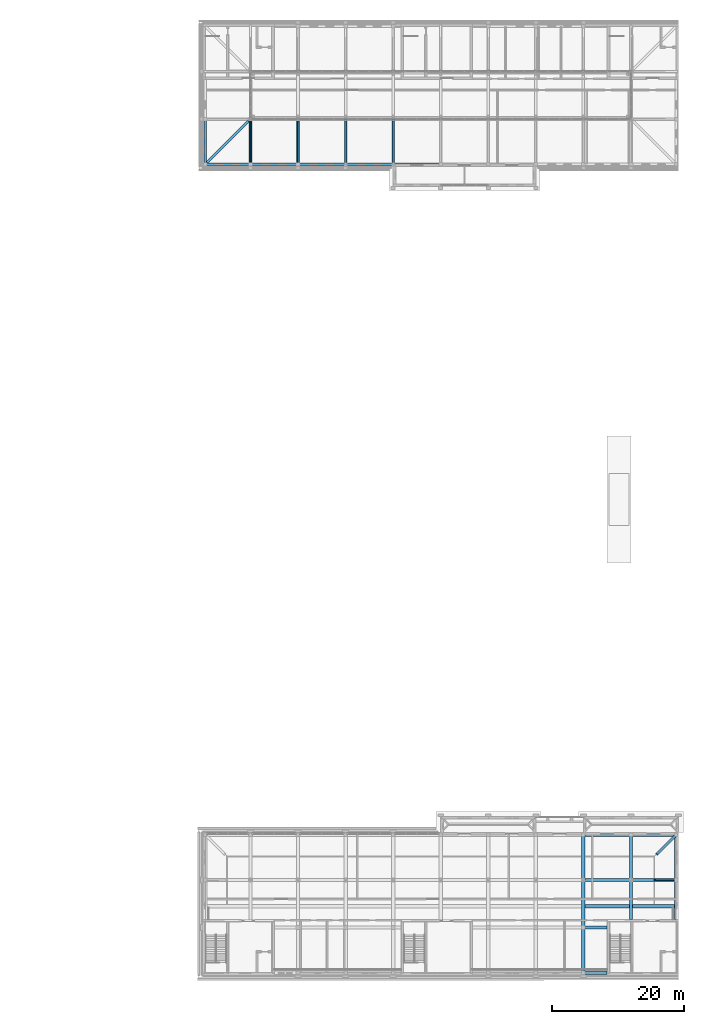
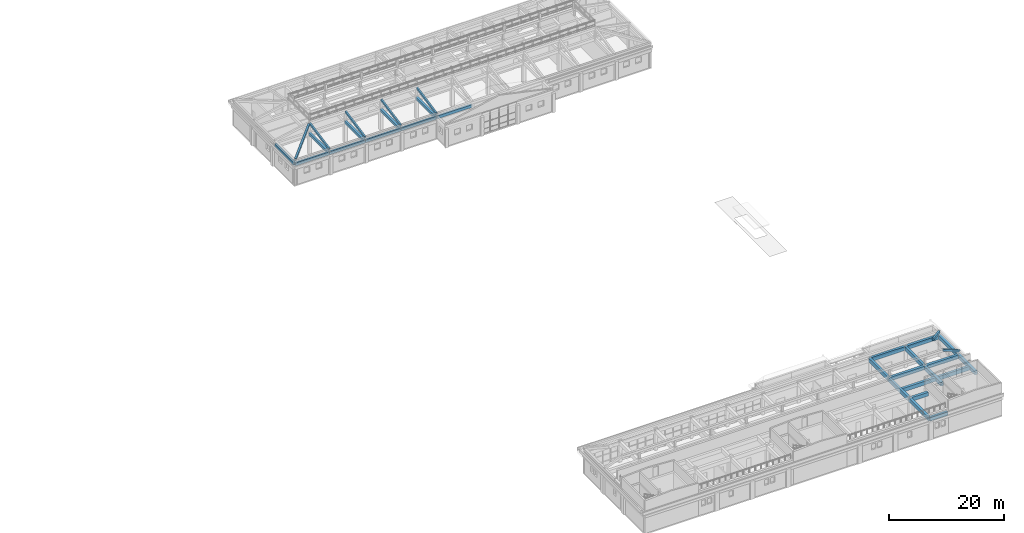
# One storey, part 11 of 48: 32 beams.
"""IFC4 building model written with IfcOpenShell, lengths in metres."""

from ifc_helpers import new_model, si_unit, direction, frame, origin, origin_2d, place, context, subcontext, project, spatial, rectangle, extrude, material, material_profile, profile_set, type_object, element, save


model = new_model("IFC4")

# Units and contexts
model_context = context("Model", 3, precision=1e-05, world=origin(), true_north=direction((0.0, 1.0)))
body_context = subcontext(model_context, "Body", "Model", "MODEL_VIEW")
ifc_project = project(units=[si_unit("LENGTHUNIT", "METRE"), si_unit("AREAUNIT", "SQUARE_METRE"), si_unit("VOLUMEUNIT", "CUBIC_METRE"), si_unit("PLANEANGLEUNIT", "RADIAN"), si_unit("MASSUNIT", "GRAM", prefix="KILO")], contexts=[model_context])

# Site, building, storey
site_placement = place(None, origin())
site = spatial("IfcSite", under=ifc_project, at=site_placement, CompositionType="ELEMENT")
building_placement = place(site_placement, origin())
building = spatial("IfcBuilding", under=site, at=building_placement, Name="Alderwick Market Hall", CompositionType="ELEMENT")
storey_placement = place(building_placement, frame((0.0, 0.0, 14.39990234375)))
storey = spatial("IfcBuildingStorey", under=building, at=storey_placement, Name="L02", CompositionType="ELEMENT", Elevation=14.39990234375)

# Beams
ifc_material = material(Name="Concrete 5000 psi (f'c 35 MPa)", Category="concrete")
ifc_material_profile_1 = material_profile(ifc_material, rectangle(XDim=0.35009765625, YDim=0.449951171875, at=origin_2d()), Name="RC 350x450")
ifc_profile_set_1 = profile_set([ifc_material_profile_1], Name="Concrete 5000 psi (f'c 35 MPa)")
beam_type_1 = type_object("IfcBeamType", Name="C Hip Rafter RC 350x450", PredefinedType="BEAM", material=ifc_profile_set_1)
beam_1_placement = place(storey_placement, frame((229.949951171875, 28.35009765625, 5.153076171875), z_axis=(-0.680042704689, -0.680100962438, 0.273869678296), x_axis=(0.707137067375, -0.707076493701, 0.0)))
element("IfcBeam", 1, at=beam_1_placement, inside=storey, type_object=beam_type_1, Name="C.rafter.L02.004", PredefinedType="BEAM", context=body_context, shape_type="SweptSolid", body=[
    extrude(rectangle(XDim=0.35009765625, YDim=0.449951171875, at=origin_2d()), origin(), (0.0, 0.0, 1.0), 4.190673828125),
])
ifc_material_profile_2 = material_profile(ifc_material, rectangle(XDim=0.300048828125, YDim=0.39990234375, at=origin_2d()), Name="RC 300x400")
ifc_profile_set_2 = profile_set([ifc_material_profile_2], Name="Concrete 5000 psi (f'c 35 MPa)")
beam_type_2 = type_object("IfcBeamType", Name="C Rafter RC 300x400", PredefinedType="BEAM", material=ifc_profile_set_2)
beam_2_placement = place(storey_placement, frame((230.199951171875, 21.60009765625, 5.114990234375), z_axis=(-0.927564381168, 0.0, 0.3736633763), x_axis=(0.0, -1.0, 0.0)))
element("IfcBeam", 2, at=beam_2_placement, inside=storey, type_object=beam_type_2, Name="C.rafter.L02.002", PredefinedType="BEAM", context=body_context, shape_type="SweptSolid", body=[
    extrude(rectangle(XDim=0.300048828125, YDim=0.39990234375, at=origin_2d()), origin(), (0.0, 0.0, 1.0), 3.66552734375),
])
ifc_material_profile_3 = material_profile(ifc_material, rectangle(XDim=0.5, YDim=0.800048828125, at=origin_2d()), Name="RC 500x800")
ifc_profile_set_3 = profile_set([ifc_material_profile_3], Name="Concrete 5000 psi (f'c 35 MPa)")
beam_type_3 = type_object("IfcBeamType", Name="C Roof Girder RC 500x800", PredefinedType="BEAM", material=ifc_profile_set_3)
beam_3_placement = place(storey_placement, frame((216.0, 28.449951171875, 4.10009765625), z_axis=(1.0, 0.0, 0.0), x_axis=(0.0, 1.0, 0.0)))
element("IfcBeam", 3, at=beam_3_placement, inside=storey, type_object=beam_type_3, Name="C.beam.L02.009", PredefinedType="BEAM", context=body_context, shape_type="SweptSolid", body=[
    extrude(rectangle(XDim=0.5, YDim=0.800048828125, at=origin_2d()), origin(), (0.0, 0.0, 1.0), 7.199951171875),
])
beam_4_placement = place(storey_placement, frame((223.199951171875, 28.449951171875, 4.10009765625), z_axis=(1.0, 0.0, 0.0), x_axis=(0.0, 1.0, 0.0)))
element("IfcBeam", 4, at=beam_4_placement, inside=storey, type_object=beam_type_3, Name="C.beam.L02.010", PredefinedType="BEAM", context=body_context, shape_type="SweptSolid", body=[
    extrude(rectangle(XDim=0.5, YDim=0.800048828125, at=origin_2d()), origin(), (0.0, 0.0, 1.0), 6.85009765625),
])
beam_5_placement = place(storey_placement, frame((216.0, 21.60009765625, 4.10009765625), z_axis=(1.0, 0.0, 0.0), x_axis=(0.0, 1.0, 0.0)))
element("IfcBeam", 5, at=beam_5_placement, inside=storey, type_object=beam_type_3, Name="C.beam.L02.019", PredefinedType="BEAM", context=body_context, shape_type="SweptSolid", body=[
    extrude(rectangle(XDim=0.5, YDim=0.800048828125, at=origin_2d()), origin(), (0.0, 0.0, 1.0), 7.199951171875),
])
beam_6_placement = place(storey_placement, frame((223.199951171875, 21.60009765625, 4.10009765625), z_axis=(1.0, 0.0, 0.0), x_axis=(0.0, 1.0, 0.0)))
element("IfcBeam", 6, at=beam_6_placement, inside=storey, type_object=beam_type_3, Name="C.beam.L02.020", PredefinedType="BEAM", context=body_context, shape_type="SweptSolid", body=[
    extrude(rectangle(XDim=0.5, YDim=0.800048828125, at=origin_2d()), origin(), (0.0, 0.0, 1.0), 6.85009765625),
])
for number, where, z_axis, x_axis, name in (
    (7, (216.0, 14.39990234375, 4.10009765625), (1.0, 0.0, 0.0), (0.0, 1.0, 0.0), "C.beam.L02.028"),
    (8, (216.0, 7.550048828125, 4.10009765625), (1.0, 0.0, 0.0), (0.0, 1.0, 0.0), "C.beam.L02.036"),
):
    element("IfcBeam", number, at=place(storey_placement, frame(where, z_axis=z_axis, x_axis=x_axis)), inside=storey, type_object=beam_type_3, Name=name, PredefinedType="BEAM", context=body_context, shape_type="SweptSolid", body=[
        extrude(rectangle(XDim=0.5, YDim=0.800048828125, at=origin_2d()), origin(), (0.0, 0.0, 1.0), 3.60107421875),
    ])
beam_7_placement = place(storey_placement, frame((216.0, 28.449951171875, 4.10009765625), z_axis=(0.0, -1.0, 0.0), x_axis=(1.0, 0.0, 0.0)))
element("IfcBeam", 9, at=beam_7_placement, inside=storey, type_object=beam_type_3, Name="C.beam.L02.058", PredefinedType="BEAM", context=body_context, shape_type="SweptSolid", body=[
    extrude(rectangle(XDim=0.5, YDim=0.800048828125, at=origin_2d()), origin(), (0.0, 0.0, 1.0), 6.849853515625),
])
beam_8_placement = place(storey_placement, frame((216.0, 21.60009765625, 4.10009765625), z_axis=(0.0, -1.0, 0.0), x_axis=(1.0, 0.0, 0.0)))
element("IfcBeam", 10, at=beam_8_placement, inside=storey, type_object=beam_type_3, Name="C.beam.L02.059", PredefinedType="BEAM", context=body_context, shape_type="SweptSolid", body=[
    extrude(rectangle(XDim=0.5, YDim=0.800048828125, at=origin_2d()), origin(), (0.0, 0.0, 1.0), 7.2001953125),
])
for number, where, z_axis, x_axis, name in (
    (11, (216.0, 14.39990234375, 4.10009765625), (0.0, -1.0, 0.0), (1.0, 0.0, 0.0), "C.beam.L02.060"),
    (12, (223.199951171875, 28.449951171875, 4.10009765625), (0.0, -1.0, 0.0), (1.0, 0.0, 0.0), "C.beam.L02.061"),
):
    element("IfcBeam", number, at=place(storey_placement, frame(where, z_axis=z_axis, x_axis=x_axis)), inside=storey, type_object=beam_type_3, Name=name, PredefinedType="BEAM", context=body_context, shape_type="SweptSolid", body=[
        extrude(rectangle(XDim=0.5, YDim=0.800048828125, at=origin_2d()), origin(), (0.0, 0.0, 1.0), 6.849853515625),
    ])
beam_9_placement = place(storey_placement, frame((223.199951171875, 21.60009765625, 4.10009765625), z_axis=(0.0, -1.0, 0.0), x_axis=(1.0, 0.0, 0.0)))
element("IfcBeam", 13, at=beam_9_placement, inside=storey, type_object=beam_type_3, Name="C.beam.L02.062", PredefinedType="BEAM", context=body_context, shape_type="SweptSolid", body=[
    extrude(rectangle(XDim=0.5, YDim=0.800048828125, at=origin_2d()), origin(), (0.0, 0.0, 1.0), 6.0009765625),
])
beam_10_placement = place(storey_placement, frame((230.050048828125, 28.449951171875, 4.10009765625), z_axis=(0.0, -1.0, 0.0), x_axis=(1.0, 0.0, 0.0)))
element("IfcBeam", 14, at=beam_10_placement, inside=storey, type_object=beam_type_3, Name="C.beam.L02.063", PredefinedType="BEAM", context=body_context, shape_type="SweptSolid", body=[
    extrude(rectangle(XDim=0.5, YDim=0.800048828125, at=origin_2d()), origin(), (0.0, 0.0, 1.0), 6.849853515625),
])
beam_11_placement = place(storey_placement, frame((230.050048828125, 21.60009765625, 4.10009765625), z_axis=(0.0, -1.0, 0.0), x_axis=(1.0, 0.0, 0.0)))
element("IfcBeam", 15, at=beam_11_placement, inside=storey, type_object=beam_type_3, Name="C.beam.L02.064", PredefinedType="BEAM", context=body_context, shape_type="SweptSolid", body=[
    extrude(rectangle(XDim=0.5, YDim=0.800048828125, at=origin_2d()), origin(), (0.0, 0.0, 1.0), 6.0009765625),
])
beam_12_placement = place(storey_placement, frame((216.25, 17.60009765625, 4.10009765625), z_axis=(1.0, 0.0, 0.0), x_axis=(0.0, 1.0, 0.0)))
element("IfcBeam", 16, at=beam_12_placement, inside=storey, type_object=beam_type_3, Name="C.rgirder.L02.09", PredefinedType="BEAM", context=body_context, shape_type="SweptSolid", body=[
    extrude(rectangle(XDim=0.5, YDim=0.800048828125, at=origin_2d()), origin(), (0.0, 0.0, 1.0), 6.699951171875),
])
beam_13_placement = place(storey_placement, frame((223.449951171875, 17.60009765625, 4.10009765625), z_axis=(1.0, 0.0, 0.0), x_axis=(0.0, 1.0, 0.0)))
element("IfcBeam", 17, at=beam_13_placement, inside=storey, type_object=beam_type_3, Name="C.rgirder.L02.10", PredefinedType="BEAM", context=body_context, shape_type="SweptSolid", body=[
    extrude(rectangle(XDim=0.5, YDim=0.800048828125, at=origin_2d()), origin(), (0.0, 0.0, 1.0), 6.35009765625),
])
ifc_material_profile_4 = material_profile(ifc_material, rectangle(XDim=0.39990234375, YDim=0.60009765625, at=origin_2d()), Name="RC 400x600")
ifc_profile_set_4 = profile_set([ifc_material_profile_4], Name="Concrete 5000 psi (f'c 35 MPa)")
beam_type_4 = type_object("IfcBeamType", Name="F Floor Beam RC 400x600", PredefinedType="BEAM", material=ifc_profile_set_4)
beam_14_placement = place(storey_placement, frame((158.75, 129.949951171875, 4.25), z_axis=(1.0, 0.0, 0.0), x_axis=(0.0, 1.0, 0.0)))
element("IfcBeam", 18, at=beam_14_placement, inside=storey, type_object=beam_type_4, Name="F.beam.L02.001", PredefinedType="BEAM", context=body_context, shape_type="SweptSolid", body=[
    extrude(rectangle(XDim=0.39990234375, YDim=0.60009765625, at=origin_2d()), origin(), (0.0, 0.0, 1.0), 6.85009765625),
])
for number, where, z_axis, x_axis, name in (
    (19, (165.60009765625, 129.949951171875, 4.25), (1.0, 0.0, 0.0), (0.0, 1.0, 0.0), "F.beam.L02.002"),
    (20, (172.800048828125, 129.949951171875, 4.25), (1.0, 0.0, 0.0), (0.0, 1.0, 0.0), "F.beam.L02.003"),
    (21, (180.0, 129.949951171875, 4.25), (1.0, 0.0, 0.0), (0.0, 1.0, 0.0), "F.beam.L02.004"),
    (22, (187.199951171875, 129.949951171875, 4.25), (1.0, 0.0, 0.0), (0.0, 1.0, 0.0), "F.beam.L02.005"),
):
    element("IfcBeam", number, at=place(storey_placement, frame(where, z_axis=z_axis, x_axis=x_axis)), inside=storey, type_object=beam_type_4, Name=name, PredefinedType="BEAM", context=body_context, shape_type="SweptSolid", body=[
        extrude(rectangle(XDim=0.39990234375, YDim=0.60009765625, at=origin_2d()), origin(), (0.0, 0.0, 1.0), 7.199951171875),
    ])
for number, where, z_axis, x_axis, name in (
    (23, (158.75, 129.949951171875, 4.25), (0.0, 1.0, 0.0), (-1.0, 0.0, 0.0), "F.beam.L02.037"),
    (24, (165.60009765625, 129.949951171875, 4.25), (0.0, 1.0, 0.0), (-1.0, 0.0, 0.0), "F.beam.L02.039"),
    (25, (172.800048828125, 129.949951171875, 4.25), (0.0, 1.0, 0.0), (-1.0, 0.0, 0.0), "F.beam.L02.041"),
    (26, (180.0, 129.949951171875, 4.25), (0.0, 1.0, 0.0), (-1.0, 0.0, 0.0), "F.beam.L02.044"),
    (27, (187.199951171875, 129.949951171875, 4.25), (0.0, 1.0, 0.0), (-1.0, 0.0, 0.0), "F.beam.L02.047"),
):
    element("IfcBeam", number, at=place(storey_placement, frame(where, z_axis=z_axis, x_axis=x_axis)), inside=storey, type_object=beam_type_4, Name=name, PredefinedType="BEAM", context=body_context, shape_type="SweptSolid", body=[
        extrude(rectangle(XDim=0.39990234375, YDim=0.60009765625, at=origin_2d()), origin(), (0.0, 0.0, 1.0), 6.85009765625),
    ])
ifc_material_profile_5 = material_profile(ifc_material, rectangle(XDim=0.35009765625, YDim=0.449951171875, at=origin_2d()), Name="RC 350x450")
ifc_profile_set_5 = profile_set([ifc_material_profile_5], Name="Concrete 5000 psi (f'c 35 MPa)")
beam_type_5 = type_object("IfcBeamType", Name="F Hip Rafter RC 350x450", PredefinedType="BEAM", material=ifc_profile_set_5)
beam_15_placement = place(storey_placement, frame((158.85009765625, 130.050048828125, 5.083251953125), z_axis=(0.700045684976, 0.700045684976, 0.140968357775), x_axis=(-0.707106781187, 0.707106781187, 0.0)))
element("IfcBeam", 28, at=beam_15_placement, inside=storey, type_object=beam_type_5, Name="F.rafter.L02.023", PredefinedType="BEAM", context=body_context, shape_type="SweptSolid", body=[
    extrude(rectangle(XDim=0.35009765625, YDim=0.449951171875, at=origin_2d()), origin(), (0.0, 0.0, 1.0), 9.213623046875),
])
ifc_material_profile_6 = material_profile(ifc_material, rectangle(XDim=0.300048828125, YDim=0.39990234375, at=origin_2d()), Name="RC 300x400")
ifc_profile_set_6 = profile_set([ifc_material_profile_6], Name="Concrete 5000 psi (f'c 35 MPa)")
beam_type_6 = type_object("IfcBeamType", Name="F Rafter RC 300x400", PredefinedType="BEAM", material=ifc_profile_set_6)
for number, where, z_axis, x_axis, name in (
    (29, (165.60009765625, 129.800048828125, 5.08642578125), (0.0, 0.980319904111, 0.197415515103), (-1.0, 0.0, 0.0), "F.rafter.L02.001"),
    (30, (172.800048828125, 129.800048828125, 5.08642578125), (0.0, 0.980319904111, 0.197415515103), (-1.0, 0.0, 0.0), "F.rafter.L02.003"),
    (31, (180.0, 129.800048828125, 5.08642578125), (0.0, 0.980319904111, 0.197415515103), (-1.0, 0.0, 0.0), "F.rafter.L02.005"),
    (32, (187.199951171875, 129.800048828125, 5.08642578125), (0.0, 0.980319904111, 0.197415515103), (-1.0, 0.0, 0.0), "F.rafter.L02.007"),
):
    element("IfcBeam", number, at=place(storey_placement, frame(where, z_axis=z_axis, x_axis=x_axis)), inside=storey, type_object=beam_type_6, Name=name, PredefinedType="BEAM", context=body_context, shape_type="SweptSolid", body=[
        extrude(rectangle(XDim=0.300048828125, YDim=0.39990234375, at=origin_2d()), origin(), (0.0, 0.0, 1.0), 6.9365234375),
    ])

save(model, "model.ifc")
